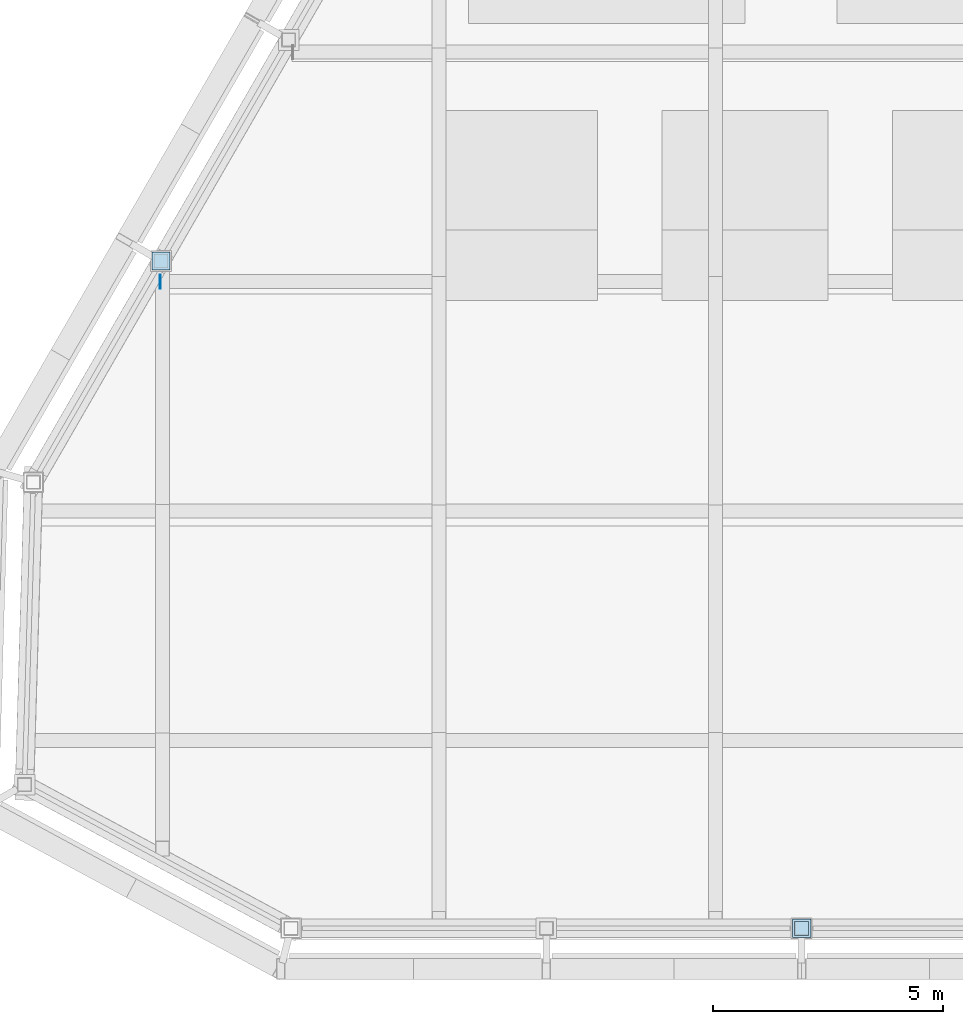
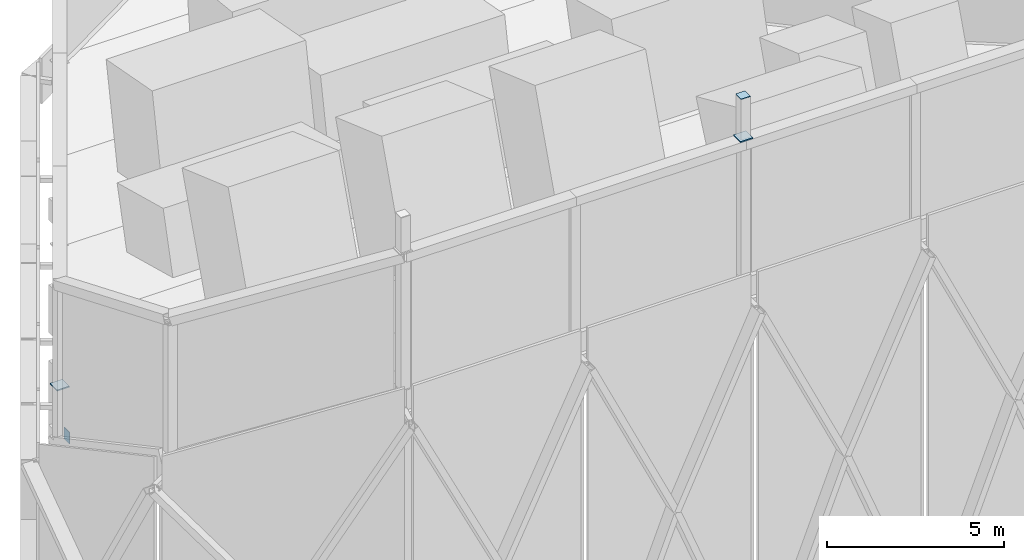
# One storey, part 7 of 13: 4 plates.
"""IFC4 building model written with IfcOpenShell, lengths in metres."""

from ifc_helpers import new_model, si_unit, direction, frame, origin, origin_2d, place, context, subcontext, project, spatial, rectangle, extrude, material, layer, layer_set, type_object, element, save


model = new_model("IFC4")

# Units and contexts
model_context = context("Model", 3, precision=1e-05, world=origin(), true_north=direction((0.0, 1.0)))
body_context = subcontext(model_context, "Body", "Model", "MODEL_VIEW")
ifc_project = project(units=[si_unit("LENGTHUNIT", "METRE"), si_unit("AREAUNIT", "SQUARE_METRE"), si_unit("VOLUMEUNIT", "CUBIC_METRE"), si_unit("PLANEANGLEUNIT", "RADIAN"), si_unit("MASSUNIT", "GRAM", prefix="KILO")], contexts=[model_context])

# Site, building, storey
site_placement = place(None, origin())
site = spatial("IfcSite", under=ifc_project, at=site_placement, CompositionType="ELEMENT")
building_placement = place(site_placement, origin())
building = spatial("IfcBuilding", under=site, at=building_placement, Name="Firuza Gate Tower and Library", CompositionType="ELEMENT")
storey_placement = place(building_placement, frame((0.0, 0.0, 358.0)))
storey = spatial("IfcBuildingStorey", under=building, at=storey_placement, Name="Upper roof", CompositionType="ELEMENT", Elevation=358.0)

# Plates
ifc_material_1 = material(Name="Steel S355", Category="steel")
ifc_layer_1 = layer(ifc_material_1, 0.0400390625)
ifc_layer_set_1 = layer_set([ifc_layer_1], Name="Finial mast base plate")
plate_type_1 = type_object("IfcPlateType", Name="Finial mast base plate", PredefinedType="SHEET", material=ifc_layer_set_1)
for number, where, z_axis, x_axis, name in (
    (1, (72.228515625, 60.54248046875, 18.05859375), (0.0, 0.0, 1.0), (1.0, 0.0, 0.0), "Finial mast base plate 5"),
    (2, (58.322265625, 75.0283203125, 5.58154296875), (0.0, 0.0, 1.0), (1.0, 0.0, 0.0), "Finial mast base plate 21"),
):
    element("IfcPlate", number, at=place(storey_placement, frame(where, z_axis=z_axis, x_axis=x_axis)), inside=storey, type_object=plate_type_1, Name=name, PredefinedType="SHEET", context=body_context, shape_type="SweptSolid", body=[
        extrude(rectangle(XDim=0.39990234375, YDim=0.39990234375, at=origin_2d()), origin(), (0.0, 0.0, 1.0), 0.0400390625),
    ])
ifc_material_2 = material(Name="Steel S355", Category="steel")
ifc_layer_2 = layer(ifc_material_2, 0.02001953125)
ifc_layer_set_2 = layer_set([ifc_layer_2], Name="Finial mast cap plate")
plate_type_2 = type_object("IfcPlateType", Name="Finial mast cap plate", PredefinedType="SHEET", material=ifc_layer_set_2)
plate_1_placement = place(storey_placement, frame((72.228515625, 60.54248046875, 19.49853515625), z_axis=(0.0, 0.0, 1.0), x_axis=(1.0, 0.0, 0.0)))
element("IfcPlate", 3, at=plate_1_placement, inside=storey, type_object=plate_type_2, Name="Finial mast cap plate 5", PredefinedType="SHEET", context=body_context, shape_type="SweptSolid", body=[
    extrude(rectangle(XDim=0.3046875, YDim=0.3046875, at=origin_2d()), origin(), (0.0, 0.0, 1.0), 0.02001953125),
])
ifc_material_3 = material(Name="Steel S355", Category="steel")
ifc_layer_3 = layer(ifc_material_3, 0.02001953125)
ifc_layer_set_3 = layer_set([ifc_layer_3], Name="Roof arc girder end plate")
plate_type_3 = type_object("IfcPlateType", Name="Roof arc girder end plate", PredefinedType="SHEET", material=ifc_layer_set_3)
plate_2_placement = place(storey_placement, frame((58.30517578125, 74.58154296875, 3.94091796875), z_axis=(0.0, 0.0, 1.0), x_axis=(1.0, 0.0, 0.0)))
element("IfcPlate", 4, at=plate_2_placement, inside=storey, type_object=plate_type_3, Name="Roof arc girder end plate 4.1", PredefinedType="SHEET", context=body_context, shape_type="SweptSolid", body=[
    extrude(rectangle(XDim=0.02001953125, YDim=0.3046875, at=origin_2d()), origin(), (0.0, 0.0, 1.0), 0.406494140625),
])

save(model, "model.ifc")
